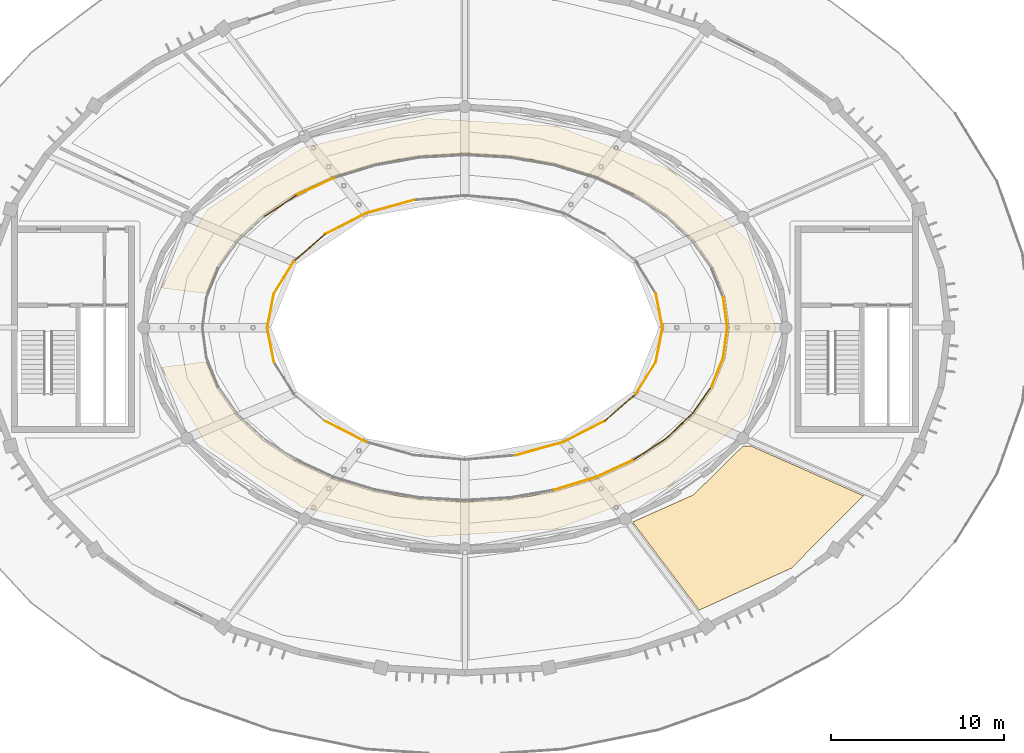
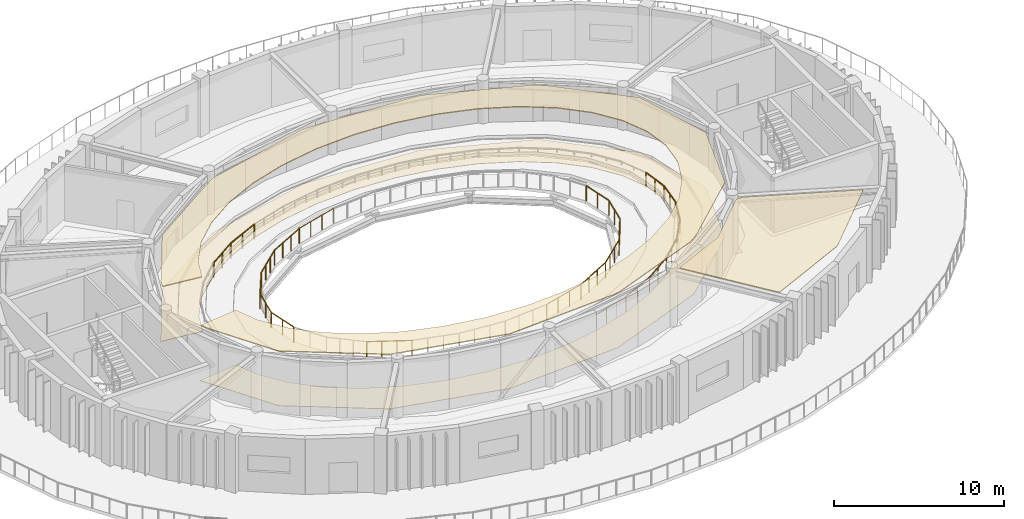
# One storey, part 57 of 63: 23 railings, 3 coverings.
"""IFC4 building model written with IfcOpenShell, lengths in metres."""

from ifc_helpers import new_model, si_unit, direction, frame, origin, origin_2d, place, context, subcontext, project, spatial, polyline, circle, outline, extrude, material, layer, layer_set, type_object, element, save


model = new_model("IFC4")

# Units and contexts
model_context = context("Model", 3, precision=1e-05, world=origin(), true_north=direction((0.0, 1.0)))
body_context = subcontext(model_context, "Body", "Model", "MODEL_VIEW")
ifc_project = project(units=[si_unit("LENGTHUNIT", "METRE"), si_unit("AREAUNIT", "SQUARE_METRE"), si_unit("VOLUMEUNIT", "CUBIC_METRE"), si_unit("PLANEANGLEUNIT", "RADIAN"), si_unit("MASSUNIT", "GRAM", prefix="KILO")], contexts=[model_context])

# Site, building, storey
site_placement = place(None, origin())
site = spatial("IfcSite", under=ifc_project, at=site_placement, CompositionType="ELEMENT")
building_placement = place(site_placement, origin())
building = spatial("IfcBuilding", under=site, at=building_placement, Name="Tarnveldt Headland Concert Hall", CompositionType="ELEMENT")
storey_placement = place(building_placement, frame((0.0, 0.0, 14.39990234375)))
storey = spatial("IfcBuildingStorey", under=building, at=storey_placement, Name="L03", CompositionType="ELEMENT", Elevation=14.39990234375)

# Coverings
ifc_material_1 = material(Name="Micro-perforated mvule acoustic ceiling panel", Category="timber")
ifc_layer_1 = layer(ifc_material_1, 0.050048828125, Name="Micro-perforated mvule acoustic ceiling panel", Category="timber")
ifc_layer_set_1 = layer_set([ifc_layer_1], Name="Micro-perforated mvule acoustic ceiling panel")
covering_type_1 = type_object("IfcCoveringType", Name="CV-CEIL50", PredefinedType="CEILING", material=ifc_layer_set_1)
covering_1_placement = place(storey_placement, frame((0.0, 0.0, 3.91015625)))
element("IfcCovering", 1, at=covering_1_placement, inside=storey, type_object=covering_type_1, Name="Acoustic mvule ceiling L03-08-310", PredefinedType="CEILING", context=body_context, shape_type="SweptSolid", body=[
    extrude(outline(polyline([(96.726318359375, 44.8076171875), (96.739990234375, 44.816162109375), (96.7529296875, 44.82568359375), (96.764892578125, 44.836669921875), (99.620361328125, 47.64990234375), (100.056884765625, 47.64990234375), (106.586669921875, 44.762451171875), (102.412109375, 40.564208984375), (97.069091796875, 38.133056640625), (93.25, 43.2001953125), (93.25, 43.257080078125), (96.7119140625, 44.80029296875), (96.726318359375, 44.8076171875)])), origin(), (0.0, 0.0, 1.0), 0.050048828125),
])
ifc_layer_2 = layer(ifc_material_1, 0.06494140625, Name="Micro-perforated mvule acoustic ceiling panel", Category="timber")
ifc_layer_set_2 = layer_set([ifc_layer_2], Name="Micro-perforated mvule acoustic ceiling panel")
covering_type_2 = type_object("IfcCoveringType", Name="CV-CEIL65", PredefinedType="CEILING", material=ifc_layer_set_2)
covering_2_placement = place(storey_placement, frame((0.0, 0.0, 3.89501953125)))
element("IfcCovering", 2, at=covering_2_placement, inside=storey, type_object=covering_type_2, Name="Acoustic mvule ceiling L03-07-305", PredefinedType="CEILING", context=body_context, shape_type="SweptSolid", body=[
    extrude(outline(polyline([(65.9775390625, 56.784912109375), (66.1884765625, 57.32666015625), (68.595703125, 61.35693359375), (74.081787109375, 64.912841796875), (81.252685546875, 66.62255859375), (88.57666015625, 66.185791015625), (88.983642578125, 66.11083984375), (95.152587890625, 63.753662109375), (95.828125, 63.288818359375), (99.93212890625, 59.500244140625), (101.51123046875, 54.5), (99.93212890625, 49.499755859375), (95.828125, 45.711181640625), (95.152587890625, 45.246337890625), (88.983642578125, 42.88916015625), (88.57666015625, 42.814208984375), (81.252685546875, 42.37744140625), (74.081787109375, 44.087158203125), (68.595703125, 47.64306640625), (66.1884765625, 51.67333984375), (65.9775390625, 52.215087890625), (68.497802734375, 52.526611328125), (69.105712890625, 51.034423828125), (69.111572265625, 51.022216796875), (69.118896484375, 51.010498046875), (70.238525390625, 49.4306640625), (70.245849609375, 49.421142578125), (70.254150390625, 49.41259765625), (71.77392578125, 47.984619140625), (71.78173828125, 47.977783203125), (71.7900390625, 47.9716796875), (73.66357421875, 46.7392578125), (73.67138671875, 46.734619140625), (73.679443359375, 46.730712890625), (75.849853515625, 45.730712890625), (75.86474609375, 45.72509765625), (78.26611328125, 44.98828125), (78.280517578125, 44.98486328125), (80.839599609375, 44.53369140625), (80.853515625, 44.531982421875), (83.4931640625, 44.380126953125), (83.5068359375, 44.380126953125), (86.146484375, 44.531982421875), (86.160400390625, 44.53369140625), (88.719482421875, 44.98486328125), (88.73388671875, 44.98828125), (91.13525390625, 45.72509765625), (91.150146484375, 45.730712890625), (93.320556640625, 46.730712890625), (93.32861328125, 46.734619140625), (93.33642578125, 46.7392578125), (95.2099609375, 47.9716796875), (95.21826171875, 47.977783203125), (95.22607421875, 47.984619140625), (96.745849609375, 49.41259765625), (96.754150390625, 49.421142578125), (96.761474609375, 49.4306640625), (97.881103515625, 51.010498046875), (97.888427734375, 51.022216796875), (97.894287109375, 51.034423828125), (98.580078125, 52.71826171875), (98.583740234375, 52.727783203125), (98.586181640625, 52.73779296875), (98.588134765625, 52.747802734375), (98.819091796875, 54.484130859375), (98.81982421875, 54.49462890625), (98.81982421875, 54.50537109375), (98.819091796875, 54.515869140625), (98.588134765625, 56.252197265625), (98.586181640625, 56.26220703125), (98.583740234375, 56.272216796875), (98.580078125, 56.28173828125), (97.894287109375, 57.965576171875), (97.888427734375, 57.977783203125), (97.881103515625, 57.989501953125), (96.761474609375, 59.5693359375), (96.754150390625, 59.578857421875), (96.745849609375, 59.58740234375), (95.22607421875, 61.015380859375), (95.21826171875, 61.022216796875), (95.2099609375, 61.0283203125), (93.33642578125, 62.2607421875), (93.32861328125, 62.265380859375), (93.320556640625, 62.269287109375), (91.150146484375, 63.269287109375), (91.13525390625, 63.27490234375), (88.73388671875, 64.01171875), (88.719482421875, 64.01513671875), (86.160400390625, 64.46630859375), (86.146484375, 64.468017578125), (83.5068359375, 64.619873046875), (83.4931640625, 64.619873046875), (80.853515625, 64.468017578125), (80.839599609375, 64.46630859375), (78.280517578125, 64.01513671875), (78.26611328125, 64.01171875), (75.86474609375, 63.27490234375), (75.849853515625, 63.269287109375), (73.679443359375, 62.269287109375), (73.67138671875, 62.265380859375), (73.66357421875, 62.2607421875), (71.7900390625, 61.0283203125), (71.78173828125, 61.022216796875), (71.77392578125, 61.015380859375), (70.254150390625, 59.58740234375), (70.245849609375, 59.578857421875), (70.238525390625, 59.5693359375), (69.118896484375, 57.989501953125), (69.111572265625, 57.977783203125), (69.105712890625, 57.965576171875), (68.497802734375, 56.473388671875), (65.9775390625, 56.784912109375)])), origin(), (0.0, 0.0, 1.0), 0.065185546875),
])
ifc_material_2 = material(Name="Treated East African mvule hardwood", Category="wood")
ifc_layer_3 = layer(ifc_material_2, 0.028076171875, Name="Treated East African mvule hardwood", Category="wood")
ifc_layer_set_3 = layer_set([ifc_layer_3], Name="Treated East African mvule hardwood")
covering_type_3 = type_object("IfcCoveringType", Name="CV-FLOR28", PredefinedType="FLOORING", material=ifc_layer_set_3)
covering_3_placement = place(storey_placement, origin())
element("IfcCovering", 3, at=covering_3_placement, inside=storey, type_object=covering_type_3, Name="Architectural flooring L03-07-95", PredefinedType="FLOORING", context=body_context, shape_type="SweptSolid", body=[
    extrude(outline(polyline([(68.538818359375, 52.53173828125), (69.142578125, 51.049560546875), (69.146484375, 51.041259765625), (69.1513671875, 51.033447265625), (70.27099609375, 49.45361328125), (70.276123046875, 49.447509765625), (70.281494140625, 49.441650390625), (71.80126953125, 48.013916015625), (71.806396484375, 48.00927734375), (71.81201171875, 48.00537109375), (73.685546875, 46.772705078125), (73.69091796875, 46.769775390625), (73.696044921875, 46.766845703125), (75.866455078125, 45.76708984375), (75.87646484375, 45.76318359375), (78.27783203125, 45.026611328125), (78.287353515625, 45.0244140625), (80.8466796875, 44.572998046875), (80.85595703125, 44.572021484375), (83.495361328125, 44.420166015625), (83.504638671875, 44.420166015625), (86.14404296875, 44.572021484375), (86.1533203125, 44.572998046875), (88.712646484375, 45.0244140625), (88.72216796875, 45.026611328125), (91.12353515625, 45.76318359375), (91.133544921875, 45.76708984375), (93.303955078125, 46.766845703125), (93.30908203125, 46.769775390625), (93.314453125, 46.772705078125), (95.18798828125, 48.00537109375), (95.193603515625, 48.00927734375), (95.19873046875, 48.013916015625), (96.718505859375, 49.441650390625), (96.723876953125, 49.447509765625), (96.72900390625, 49.45361328125), (97.8486328125, 51.033447265625), (97.853515625, 51.041259765625), (97.857421875, 51.049560546875), (98.543212890625, 52.7333984375), (98.54541015625, 52.73974609375), (98.547119140625, 52.746337890625), (98.54833984375, 52.7529296875), (98.779296875, 54.489501953125), (98.77978515625, 54.49658203125), (98.77978515625, 54.50341796875), (98.779296875, 54.510498046875), (98.54833984375, 56.2470703125), (98.547119140625, 56.253662109375), (98.54541015625, 56.26025390625), (98.543212890625, 56.2666015625), (97.857421875, 57.950439453125), (97.853515625, 57.958740234375), (97.8486328125, 57.966552734375), (96.72900390625, 59.54638671875), (96.723876953125, 59.552490234375), (96.718505859375, 59.558349609375), (95.19873046875, 60.986083984375), (95.193603515625, 60.99072265625), (95.18798828125, 60.99462890625), (93.314453125, 62.227294921875), (93.30908203125, 62.230224609375), (93.303955078125, 62.233154296875), (91.133544921875, 63.23291015625), (91.12353515625, 63.23681640625), (88.72216796875, 63.973388671875), (88.712646484375, 63.9755859375), (86.1533203125, 64.427001953125), (86.14404296875, 64.427978515625), (83.504638671875, 64.579833984375), (83.495361328125, 64.579833984375), (80.85595703125, 64.427978515625), (80.8466796875, 64.427001953125), (78.287353515625, 63.9755859375), (78.27783203125, 63.973388671875), (75.87646484375, 63.23681640625), (75.866455078125, 63.23291015625), (73.696044921875, 62.233154296875), (73.69091796875, 62.230224609375), (73.685546875, 62.227294921875), (71.81201171875, 60.99462890625), (71.806396484375, 60.99072265625), (71.80126953125, 60.986083984375), (70.281494140625, 59.558349609375), (70.276123046875, 59.552490234375), (70.27099609375, 59.54638671875), (69.1513671875, 57.966552734375), (69.146484375, 57.958740234375), (69.142578125, 57.950439453125), (68.538818359375, 56.46826171875), (65.87255859375, 56.7978515625), (68.595703125, 61.35693359375), (74.081787109375, 64.912841796875), (81.252685546875, 66.62255859375), (88.826171875, 66.171142578125), (95.446044921875, 63.6416015625), (99.93212890625, 59.500244140625), (101.51123046875, 54.5), (99.93212890625, 49.499755859375), (95.446044921875, 45.3583984375), (88.826171875, 42.828857421875), (81.252685546875, 42.37744140625), (74.081787109375, 44.087158203125), (68.595703125, 47.64306640625), (65.87255859375, 52.2021484375), (68.538818359375, 52.53173828125)])), origin(), (0.0, 0.0, 1.0), 0.028076171875),
])

# Railings
ifc_material_3 = material(Name="Marine stainless steel", Category="steel")
ifc_layer_4 = layer(ifc_material_3, 0.06005859375, Name="Marine stainless steel", Category="steel")
ifc_layer_set_4 = layer_set([ifc_layer_4], Name="Marine stainless steel")
railing_type = type_object("IfcRailingType", Name="RL-GRD110", PredefinedType="GUARDRAIL", material=ifc_layer_set_4)
railing_1_placement = place(storey_placement, frame((94.949951171875, 54.5, 0.280029296875)))
element("IfcRailing", 4, at=railing_1_placement, inside=storey, type_object=railing_type, Name="GUARD Symphony tier sightline guardrail L03 1", PredefinedType="GUARDRAIL", context=body_context, shape_type="SweptSolid", body=[
    extrude(circle(Radius=0.02392578125, at=origin_2d()), frame((0.0, 0.0, 1.076171875), z_axis=(-0.193323530369, 0.981135063386, 0.0), x_axis=(-0.981135063386, -0.193323530369, 0.0)), (0.0, 0.0, 1.0), 2.01806640625),
    extrude(circle(Radius=0.02099609375, at=origin_2d()), origin(), (0.0, 0.0, 1.0), 1.052001953125),
    extrude(circle(Radius=0.02099609375, at=origin_2d()), frame((-0.195068359375, 0.989990234375, 0.0)), (0.0, 0.0, 1.0), 1.052001953125),
    extrude(circle(Radius=0.02099609375, at=origin_2d()), frame((-0.39013671875, 1.97998046875, 0.0)), (0.0, 0.0, 1.0), 1.052001953125),
])
railing_2_placement = place(storey_placement, frame((80.53662109375, 61.889404296875, 0.280029296875)))
element("IfcRailing", 5, at=railing_2_placement, inside=storey, type_object=railing_type, Name="GUARD Symphony tier sightline guardrail L03 8", PredefinedType="GUARDRAIL", context=body_context, shape_type="SweptSolid", body=[
    extrude(circle(Radius=0.02392578125, at=origin_2d()), frame((0.0, 0.0, 1.076171875), z_axis=(-0.963764063419, -0.266756124696, 0.0), x_axis=(0.266756124696, -0.963764063419, 0.0)), (0.0, 0.0, 1.0), 2.865478515625),
    extrude(circle(Radius=0.02099609375, at=origin_2d()), origin(), (0.0, 0.0, 1.0), 1.052001953125),
    extrude(circle(Radius=0.02099609375, at=origin_2d()), frame((-0.920654296875, -0.2548828125, 0.0)), (0.0, 0.0, 1.0), 1.052001953125),
    extrude(circle(Radius=0.02099609375, at=origin_2d()), frame((-1.841064453125, -0.509521484375, 0.0)), (0.0, 0.0, 1.0), 1.052001953125),
    extrude(circle(Radius=0.02099609375, at=origin_2d()), frame((-2.76171875, -0.764404296875, 0.0)), (0.0, 0.0, 1.0), 1.052001953125),
])
railing_3_placement = place(storey_placement, frame((77.77490234375, 61.125, 0.280029296875)))
element("IfcRailing", 6, at=railing_3_placement, inside=storey, type_object=railing_type, Name="GUARD Symphony tier sightline guardrail L03 9", PredefinedType="GUARDRAIL", context=body_context, shape_type="SweptSolid", body=[
    extrude(circle(Radius=0.02392578125, at=origin_2d()), frame((0.0, 0.0, 1.076171875), z_axis=(-0.889892806019, -0.456169698463, 0.0), x_axis=(0.456169698463, -0.889892806019, 0.0)), (0.0, 0.0, 1.0), 2.664794921875),
    extrude(circle(Radius=0.02099609375, at=origin_2d()), origin(), (0.0, 0.0, 1.0), 1.052001953125),
    extrude(circle(Radius=0.02099609375, at=origin_2d()), frame((-0.79052734375, -0.4052734375, 0.0)), (0.0, 0.0, 1.0), 1.052001953125),
    extrude(circle(Radius=0.02099609375, at=origin_2d()), frame((-1.580810546875, -0.810302734375, 0.0)), (0.0, 0.0, 1.0), 1.052001953125),
    extrude(circle(Radius=0.02099609375, at=origin_2d()), frame((-2.371337890625, -1.215576171875, 0.0)), (0.0, 0.0, 1.0), 1.052001953125),
])
railing_4_placement = place(storey_placement, frame((75.403564453125, 59.909423828125, 0.280029296875)))
element("IfcRailing", 7, at=railing_4_placement, inside=storey, type_object=railing_type, Name="GUARD Symphony tier sightline guardrail L03 10", PredefinedType="GUARDRAIL", context=body_context, shape_type="SweptSolid", body=[
    extrude(circle(Radius=0.02392578125, at=origin_2d()), frame((0.0, 0.0, 1.076171875), z_axis=(-0.754147872627, -0.656704641534, 0.0), x_axis=(0.656704641534, -0.754147872627, 0.0)), (0.0, 0.0, 1.0), 2.412841796875),
    extrude(circle(Radius=0.02099609375, at=origin_2d()), origin(), (0.0, 0.0, 1.0), 1.052001953125),
    extrude(circle(Radius=0.02099609375, at=origin_2d()), frame((-0.6064453125, -0.528076171875, 0.0)), (0.0, 0.0, 1.0), 1.052001953125),
    extrude(circle(Radius=0.02099609375, at=origin_2d()), frame((-1.213134765625, -1.056396484375, 0.0)), (0.0, 0.0, 1.0), 1.052001953125),
    extrude(circle(Radius=0.02099609375, at=origin_2d()), frame((-1.819580078125, -1.58447265625, 0.0)), (0.0, 0.0, 1.0), 1.052001953125),
])
railing_5_placement = place(storey_placement, frame((73.583984375, 58.324951171875, 0.280029296875)))
element("IfcRailing", 8, at=railing_5_placement, inside=storey, type_object=railing_type, Name="GUARD Symphony tier sightline guardrail L03 11", PredefinedType="GUARDRAIL", context=body_context, shape_type="SweptSolid", body=[
    extrude(circle(Radius=0.02392578125, at=origin_2d()), frame((0.0, 0.0, 1.076171875), z_axis=(-0.526912047172, -0.849919816538, 0.0), x_axis=(0.849919816538, -0.526912047172, 0.0)), (0.0, 0.0, 1.0), 2.170654296875),
    extrude(circle(Radius=0.02099609375, at=origin_2d()), origin(), (0.0, 0.0, 1.0), 1.052001953125),
    extrude(circle(Radius=0.02099609375, at=origin_2d()), frame((-0.57177734375, -0.92236328125, 0.0)), (0.0, 0.0, 1.0), 1.052001953125),
    extrude(circle(Radius=0.02099609375, at=origin_2d()), frame((-1.143798828125, -1.844970703125, 0.0)), (0.0, 0.0, 1.0), 1.052001953125),
])
railing_6_placement = place(storey_placement, frame((72.440185546875, 56.47998046875, 0.280029296875)))
element("IfcRailing", 9, at=railing_6_placement, inside=storey, type_object=railing_type, Name="GUARD Symphony tier sightline guardrail L03 12", PredefinedType="GUARDRAIL", context=body_context, shape_type="SweptSolid", body=[
    extrude(circle(Radius=0.02392578125, at=origin_2d()), frame((0.0, 0.0, 1.076171875), z_axis=(-0.193323530369, -0.981135063386, 0.0), x_axis=(0.981135063386, -0.193323530369, 0.0)), (0.0, 0.0, 1.0), 2.01806640625),
    extrude(circle(Radius=0.02099609375, at=origin_2d()), origin(), (0.0, 0.0, 1.0), 1.052001953125),
    extrude(circle(Radius=0.02099609375, at=origin_2d()), frame((-0.195068359375, -0.989990234375, 0.0)), (0.0, 0.0, 1.0), 1.052001953125),
    extrude(circle(Radius=0.02099609375, at=origin_2d()), frame((-0.39013671875, -1.97998046875, 0.0)), (0.0, 0.0, 1.0), 1.052001953125),
])
railing_7_placement = place(storey_placement, frame((72.050048828125, 54.5, 0.280029296875)))
element("IfcRailing", 10, at=railing_7_placement, inside=storey, type_object=railing_type, Name="GUARD Symphony tier sightline guardrail L03 13", PredefinedType="GUARDRAIL", context=body_context, shape_type="SweptSolid", body=[
    extrude(circle(Radius=0.02392578125, at=origin_2d()), frame((0.0, 0.0, 1.076171875), z_axis=(0.193323530369, -0.981135063386, 0.0), x_axis=(0.981135063386, 0.193323530369, 0.0)), (0.0, 0.0, 1.0), 2.01806640625),
    extrude(circle(Radius=0.02099609375, at=origin_2d()), origin(), (0.0, 0.0, 1.0), 1.052001953125),
    extrude(circle(Radius=0.02099609375, at=origin_2d()), frame((0.195068359375, -0.989990234375, 0.0)), (0.0, 0.0, 1.0), 1.052001953125),
    extrude(circle(Radius=0.02099609375, at=origin_2d()), frame((0.39013671875, -1.97998046875, 0.0)), (0.0, 0.0, 1.0), 1.052001953125),
])
railing_8_placement = place(storey_placement, frame((75.403564453125, 49.090576171875, 0.280029296875)))
element("IfcRailing", 11, at=railing_8_placement, inside=storey, type_object=railing_type, Name="GUARD Symphony tier sightline guardrail L03 16", PredefinedType="GUARDRAIL", context=body_context, shape_type="SweptSolid", body=[
    extrude(circle(Radius=0.02392578125, at=origin_2d()), frame((0.0, 0.0, 1.076171875), z_axis=(0.889892806019, -0.456169698463, 0.0), x_axis=(0.456169698463, 0.889892806019, 0.0)), (0.0, 0.0, 1.0), 2.664794921875),
    extrude(circle(Radius=0.02099609375, at=origin_2d()), origin(), (0.0, 0.0, 1.0), 1.052001953125),
    extrude(circle(Radius=0.02099609375, at=origin_2d()), frame((0.79052734375, -0.4052734375, 0.0)), (0.0, 0.0, 1.0), 1.052001953125),
    extrude(circle(Radius=0.02099609375, at=origin_2d()), frame((1.580810546875, -0.810302734375, 0.0)), (0.0, 0.0, 1.0), 1.052001953125),
    extrude(circle(Radius=0.02099609375, at=origin_2d()), frame((2.371337890625, -1.215576171875, 0.0)), (0.0, 0.0, 1.0), 1.052001953125),
])
railing_9_placement = place(storey_placement, frame((86.46337890625, 47.110595703125, 0.280029296875)))
element("IfcRailing", 12, at=railing_9_placement, inside=storey, type_object=railing_type, Name="GUARD Symphony tier sightline guardrail L03 20", PredefinedType="GUARDRAIL", context=body_context, shape_type="SweptSolid", body=[
    extrude(circle(Radius=0.02392578125, at=origin_2d()), frame((0.0, 0.0, 1.076171875), z_axis=(0.963764063419, 0.266756124696, 0.0), x_axis=(-0.266756124696, 0.963764063419, 0.0)), (0.0, 0.0, 1.0), 2.865478515625),
    extrude(circle(Radius=0.02099609375, at=origin_2d()), origin(), (0.0, 0.0, 1.0), 1.052001953125),
    extrude(circle(Radius=0.02099609375, at=origin_2d()), frame((0.920654296875, 0.2548828125, 0.0)), (0.0, 0.0, 1.0), 1.052001953125),
    extrude(circle(Radius=0.02099609375, at=origin_2d()), frame((1.841064453125, 0.509521484375, 0.0)), (0.0, 0.0, 1.0), 1.052001953125),
    extrude(circle(Radius=0.02099609375, at=origin_2d()), frame((2.76171875, 0.764404296875, 0.0)), (0.0, 0.0, 1.0), 1.052001953125),
])
railing_10_placement = place(storey_placement, frame((89.22509765625, 47.875, 0.280029296875)))
element("IfcRailing", 13, at=railing_10_placement, inside=storey, type_object=railing_type, Name="GUARD Symphony tier sightline guardrail L03 21", PredefinedType="GUARDRAIL", context=body_context, shape_type="SweptSolid", body=[
    extrude(circle(Radius=0.02392578125, at=origin_2d()), frame((0.0, 0.0, 1.076171875), z_axis=(0.889892806019, 0.456169698463, 0.0), x_axis=(-0.456169698463, 0.889892806019, 0.0)), (0.0, 0.0, 1.0), 2.664794921875),
    extrude(circle(Radius=0.02099609375, at=origin_2d()), origin(), (0.0, 0.0, 1.0), 1.052001953125),
    extrude(circle(Radius=0.02099609375, at=origin_2d()), frame((0.79052734375, 0.4052734375, 0.0)), (0.0, 0.0, 1.0), 1.052001953125),
    extrude(circle(Radius=0.02099609375, at=origin_2d()), frame((1.580810546875, 0.810302734375, 0.0)), (0.0, 0.0, 1.0), 1.052001953125),
    extrude(circle(Radius=0.02099609375, at=origin_2d()), frame((2.371337890625, 1.215576171875, 0.0)), (0.0, 0.0, 1.0), 1.052001953125),
])
railing_11_placement = place(storey_placement, frame((91.596435546875, 49.090576171875, 0.280029296875)))
element("IfcRailing", 14, at=railing_11_placement, inside=storey, type_object=railing_type, Name="GUARD Symphony tier sightline guardrail L03 22", PredefinedType="GUARDRAIL", context=body_context, shape_type="SweptSolid", body=[
    extrude(circle(Radius=0.02392578125, at=origin_2d()), frame((0.0, 0.0, 1.076171875), z_axis=(0.754147872627, 0.656704641534, 0.0), x_axis=(-0.656704641534, 0.754147872627, 0.0)), (0.0, 0.0, 1.0), 2.412841796875),
    extrude(circle(Radius=0.02099609375, at=origin_2d()), origin(), (0.0, 0.0, 1.0), 1.052001953125),
    extrude(circle(Radius=0.02099609375, at=origin_2d()), frame((0.6064453125, 0.528076171875, 0.0)), (0.0, 0.0, 1.0), 1.052001953125),
    extrude(circle(Radius=0.02099609375, at=origin_2d()), frame((1.213134765625, 1.056396484375, 0.0)), (0.0, 0.0, 1.0), 1.052001953125),
    extrude(circle(Radius=0.02099609375, at=origin_2d()), frame((1.819580078125, 1.58447265625, 0.0)), (0.0, 0.0, 1.0), 1.052001953125),
])
railing_12_placement = place(storey_placement, frame((93.416015625, 50.675048828125, 0.280029296875)))
element("IfcRailing", 15, at=railing_12_placement, inside=storey, type_object=railing_type, Name="GUARD Symphony tier sightline guardrail L03 23", PredefinedType="GUARDRAIL", context=body_context, shape_type="SweptSolid", body=[
    extrude(circle(Radius=0.02392578125, at=origin_2d()), frame((0.0, 0.0, 1.076171875), z_axis=(0.526912047172, 0.849919816538, 0.0), x_axis=(-0.849919816538, 0.526912047172, 0.0)), (0.0, 0.0, 1.0), 2.170654296875),
    extrude(circle(Radius=0.02099609375, at=origin_2d()), origin(), (0.0, 0.0, 1.0), 1.052001953125),
    extrude(circle(Radius=0.02099609375, at=origin_2d()), frame((0.57177734375, 0.92236328125, 0.0)), (0.0, 0.0, 1.0), 1.052001953125),
    extrude(circle(Radius=0.02099609375, at=origin_2d()), frame((1.143798828125, 1.844970703125, 0.0)), (0.0, 0.0, 1.0), 1.052001953125),
])
railing_13_placement = place(storey_placement, frame((94.559814453125, 52.52001953125, 0.280029296875)))
element("IfcRailing", 16, at=railing_13_placement, inside=storey, type_object=railing_type, Name="GUARD Symphony tier sightline guardrail L03 24", PredefinedType="GUARDRAIL", context=body_context, shape_type="SweptSolid", body=[
    extrude(circle(Radius=0.02392578125, at=origin_2d()), frame((0.0, 0.0, 1.076171875), z_axis=(0.193323530369, 0.981135063386, 0.0), x_axis=(-0.981135063386, 0.193323530369, 0.0)), (0.0, 0.0, 1.0), 2.01806640625),
    extrude(circle(Radius=0.02099609375, at=origin_2d()), origin(), (0.0, 0.0, 1.0), 1.052001953125),
    extrude(circle(Radius=0.02099609375, at=origin_2d()), frame((0.195068359375, 0.989990234375, 0.0)), (0.0, 0.0, 1.0), 1.052001953125),
    extrude(circle(Radius=0.02099609375, at=origin_2d()), frame((0.39013671875, 1.97998046875, 0.0)), (0.0, 0.0, 1.0), 1.052001953125),
])
railing_14_placement = place(storey_placement, frame((98.699951171875, 54.5, 0.0)))
element("IfcRailing", 17, at=railing_14_placement, inside=storey, type_object=railing_type, Name="GUARD Auditorium void guardrail L03 1", PredefinedType="GUARDRAIL", context=body_context, shape_type="SweptSolid", body=[
    extrude(circle(Radius=0.02392578125, at=origin_2d()), frame((0.0, 0.0, 1.076171875), z_axis=(-0.131835089673, 0.991271662629, 0.0), x_axis=(-0.991271662629, -0.131835089673, 0.0)), (0.0, 0.0, 1.0), 1.751953125),
    extrude(circle(Radius=0.02099609375, at=origin_2d()), origin(), (0.0, 0.0, 1.0), 1.052001953125),
    extrude(circle(Radius=0.02099609375, at=origin_2d()), frame((-0.115478515625, 0.8681640625, 0.0)), (0.0, 0.0, 1.0), 1.052001953125),
    extrude(circle(Radius=0.02099609375, at=origin_2d()), frame((-0.23095703125, 1.736572265625, 0.0)), (0.0, 0.0, 1.0), 1.052001953125),
])
railing_15_placement = place(storey_placement, frame((75.89990234375, 63.160400390625, 0.0)))
element("IfcRailing", 18, at=railing_15_placement, inside=storey, type_object=railing_type, Name="GUARD Auditorium void guardrail L03 13", PredefinedType="GUARDRAIL", context=body_context, shape_type="SweptSolid", body=[
    extrude(circle(Radius=0.02392578125, at=origin_2d()), frame((0.0, 0.0, 1.076171875), z_axis=(-0.908234283008, -0.418462049854, 0.0), x_axis=(0.418462049854, -0.908234283008, 0.0)), (0.0, 0.0, 1.0), 2.3896484375),
    extrude(circle(Radius=0.02099609375, at=origin_2d()), origin(), (0.0, 0.0, 1.0), 1.052001953125),
    extrude(circle(Radius=0.02099609375, at=origin_2d()), frame((-1.085205078125, -0.5, 0.0)), (0.0, 0.0, 1.0), 1.052001953125),
    extrude(circle(Radius=0.02099609375, at=origin_2d()), frame((-2.17041015625, -1.0, 0.0)), (0.0, 0.0, 1.0), 1.052001953125),
])
railing_16_placement = place(storey_placement, frame((73.7294921875, 62.160400390625, 0.0)))
element("IfcRailing", 19, at=railing_16_placement, inside=storey, type_object=railing_type, Name="GUARD Auditorium void guardrail L03 14", PredefinedType="GUARDRAIL", context=body_context, shape_type="SweptSolid", body=[
    extrude(circle(Radius=0.02392578125, at=origin_2d()), frame((0.0, 0.0, 1.076171875), z_axis=(-0.835418397825, -0.549614501788, 0.0), x_axis=(0.549614501788, -0.835418397825, 0.0)), (0.0, 0.0, 1.0), 2.242431640625),
    extrude(circle(Radius=0.02099609375, at=origin_2d()), origin(), (0.0, 0.0, 1.0), 1.052001953125),
    extrude(circle(Radius=0.02099609375, at=origin_2d()), frame((-0.9365234375, -0.6162109375, 0.0)), (0.0, 0.0, 1.0), 1.052001953125),
    extrude(circle(Radius=0.02099609375, at=origin_2d()), frame((-1.873291015625, -1.232421875, 0.0)), (0.0, 0.0, 1.0), 1.052001953125),
])
railing_17_placement = place(storey_placement, frame((88.69873046875, 45.10302734375, 0.0)))
element("IfcRailing", 20, at=railing_17_placement, inside=storey, type_object=railing_type, Name="GUARD Auditorium void guardrail L03 30", PredefinedType="GUARDRAIL", context=body_context, shape_type="SweptSolid", body=[
    extrude(circle(Radius=0.02392578125, at=origin_2d()), frame((0.0, 0.0, 1.076171875), z_axis=(0.956037133001, 0.293245631381, 0.0), x_axis=(-0.293245631381, 0.956037133001, 0.0)), (0.0, 0.0, 1.0), 2.51171875),
    extrude(circle(Radius=0.02099609375, at=origin_2d()), origin(), (0.0, 0.0, 1.0), 1.052001953125),
    extrude(circle(Radius=0.02099609375, at=origin_2d()), frame((0.800537109375, 0.24560546875, 0.0)), (0.0, 0.0, 1.0), 1.052001953125),
    extrude(circle(Radius=0.02099609375, at=origin_2d()), frame((1.600830078125, 0.490966796875, 0.0)), (0.0, 0.0, 1.0), 1.052001953125),
    extrude(circle(Radius=0.02099609375, at=origin_2d()), frame((2.4013671875, 0.736572265625, 0.0)), (0.0, 0.0, 1.0), 1.052001953125),
])
railing_18_placement = place(storey_placement, frame((91.10009765625, 45.839599609375, 0.0)))
element("IfcRailing", 21, at=railing_18_placement, inside=storey, type_object=railing_type, Name="GUARD Auditorium void guardrail L03 31", PredefinedType="GUARDRAIL", context=body_context, shape_type="SweptSolid", body=[
    extrude(circle(Radius=0.02392578125, at=origin_2d()), frame((0.0, 0.0, 1.076171875), z_axis=(0.908234283008, 0.418462049854, 0.0), x_axis=(-0.418462049854, 0.908234283008, 0.0)), (0.0, 0.0, 1.0), 2.3896484375),
    extrude(circle(Radius=0.02099609375, at=origin_2d()), origin(), (0.0, 0.0, 1.0), 1.052001953125),
    extrude(circle(Radius=0.02099609375, at=origin_2d()), frame((1.085205078125, 0.5, 0.0)), (0.0, 0.0, 1.0), 1.052001953125),
    extrude(circle(Radius=0.02099609375, at=origin_2d()), frame((2.17041015625, 1.0, 0.0)), (0.0, 0.0, 1.0), 1.052001953125),
])
railing_19_placement = place(storey_placement, frame((93.2705078125, 46.839599609375, 0.0)))
element("IfcRailing", 22, at=railing_19_placement, inside=storey, type_object=railing_type, Name="GUARD Auditorium void guardrail L03 32", PredefinedType="GUARDRAIL", context=body_context, shape_type="SweptSolid", body=[
    extrude(circle(Radius=0.02392578125, at=origin_2d()), frame((0.0, 0.0, 1.076171875), z_axis=(0.835418397825, 0.549614501788, 0.0), x_axis=(-0.549614501788, 0.835418397825, 0.0)), (0.0, 0.0, 1.0), 2.242431640625),
    extrude(circle(Radius=0.02099609375, at=origin_2d()), origin(), (0.0, 0.0, 1.0), 1.052001953125),
    extrude(circle(Radius=0.02099609375, at=origin_2d()), frame((0.9365234375, 0.6162109375, 0.0)), (0.0, 0.0, 1.0), 1.052001953125),
    extrude(circle(Radius=0.02099609375, at=origin_2d()), frame((1.873291015625, 1.232421875, 0.0)), (0.0, 0.0, 1.0), 1.052001953125),
])
railing_20_placement = place(storey_placement, frame((95.143798828125, 48.072021484375, 0.0)))
element("IfcRailing", 23, at=railing_20_placement, inside=storey, type_object=railing_type, Name="GUARD Auditorium void guardrail L03 33", PredefinedType="GUARDRAIL", context=body_context, shape_type="SweptSolid", body=[
    extrude(circle(Radius=0.02392578125, at=origin_2d()), frame((0.0, 0.0, 1.076171875), z_axis=(0.728773712747, 0.684754609776, 0.0), x_axis=(-0.684754609776, 0.728773712747, 0.0)), (0.0, 0.0, 1.0), 2.08544921875),
    extrude(circle(Radius=0.02099609375, at=origin_2d()), origin(), (0.0, 0.0, 1.0), 1.052001953125),
    extrude(circle(Radius=0.02099609375, at=origin_2d()), frame((0.759765625, 0.7138671875, 0.0)), (0.0, 0.0, 1.0), 1.052001953125),
    extrude(circle(Radius=0.02099609375, at=origin_2d()), frame((1.519775390625, 1.427978515625, 0.0)), (0.0, 0.0, 1.0), 1.052001953125),
])
railing_21_placement = place(storey_placement, frame((96.66357421875, 49.5, 0.0)))
element("IfcRailing", 24, at=railing_21_placement, inside=storey, type_object=railing_type, Name="GUARD Auditorium void guardrail L03 34", PredefinedType="GUARDRAIL", context=body_context, shape_type="SweptSolid", body=[
    extrude(circle(Radius=0.02392578125, at=origin_2d()), frame((0.0, 0.0, 1.076171875), z_axis=(0.578216724182, 0.815883214606, 0.0), x_axis=(-0.815883214606, 0.578216724182, 0.0)), (0.0, 0.0, 1.0), 1.936279296875),
    extrude(circle(Radius=0.02099609375, at=origin_2d()), origin(), (0.0, 0.0, 1.0), 1.052001953125),
    extrude(circle(Radius=0.02099609375, at=origin_2d()), frame((0.559814453125, 0.7900390625, 0.0)), (0.0, 0.0, 1.0), 1.052001953125),
    extrude(circle(Radius=0.02099609375, at=origin_2d()), frame((1.11962890625, 1.579833984375, 0.0)), (0.0, 0.0, 1.0), 1.052001953125),
])
railing_22_placement = place(storey_placement, frame((97.783203125, 51.079833984375, 0.0)))
element("IfcRailing", 25, at=railing_22_placement, inside=storey, type_object=railing_type, Name="GUARD Auditorium void guardrail L03 35", PredefinedType="GUARDRAIL", context=body_context, shape_type="SweptSolid", body=[
    extrude(circle(Radius=0.02392578125, at=origin_2d()), frame((0.0, 0.0, 1.076171875), z_axis=(0.377241429706, 0.926114951674, 0.0), x_axis=(-0.926114951674, 0.377241429706, 0.0)), (0.0, 0.0, 1.0), 1.81787109375),
    extrude(circle(Radius=0.02099609375, at=origin_2d()), origin(), (0.0, 0.0, 1.0), 1.052001953125),
    extrude(circle(Radius=0.02099609375, at=origin_2d()), frame((0.3427734375, 0.841796875, 0.0)), (0.0, 0.0, 1.0), 1.052001953125),
    extrude(circle(Radius=0.02099609375, at=origin_2d()), frame((0.685791015625, 1.68359375, 0.0)), (0.0, 0.0, 1.0), 1.052001953125),
])
railing_23_placement = place(storey_placement, frame((98.468994140625, 52.763427734375, 0.0)))
element("IfcRailing", 26, at=railing_23_placement, inside=storey, type_object=railing_type, Name="GUARD Auditorium void guardrail L03 36", PredefinedType="GUARDRAIL", context=body_context, shape_type="SweptSolid", body=[
    extrude(circle(Radius=0.02392578125, at=origin_2d()), frame((0.0, 0.0, 1.076171875), z_axis=(0.131835089673, 0.991271662629, 0.0), x_axis=(-0.991271662629, 0.131835089673, 0.0)), (0.0, 0.0, 1.0), 1.751953125),
    extrude(circle(Radius=0.02099609375, at=origin_2d()), origin(), (0.0, 0.0, 1.0), 1.052001953125),
    extrude(circle(Radius=0.02099609375, at=origin_2d()), frame((0.115478515625, 0.8681640625, 0.0)), (0.0, 0.0, 1.0), 1.052001953125),
    extrude(circle(Radius=0.02099609375, at=origin_2d()), frame((0.23095703125, 1.736572265625, 0.0)), (0.0, 0.0, 1.0), 1.052001953125),
])

save(model, "model.ifc")
